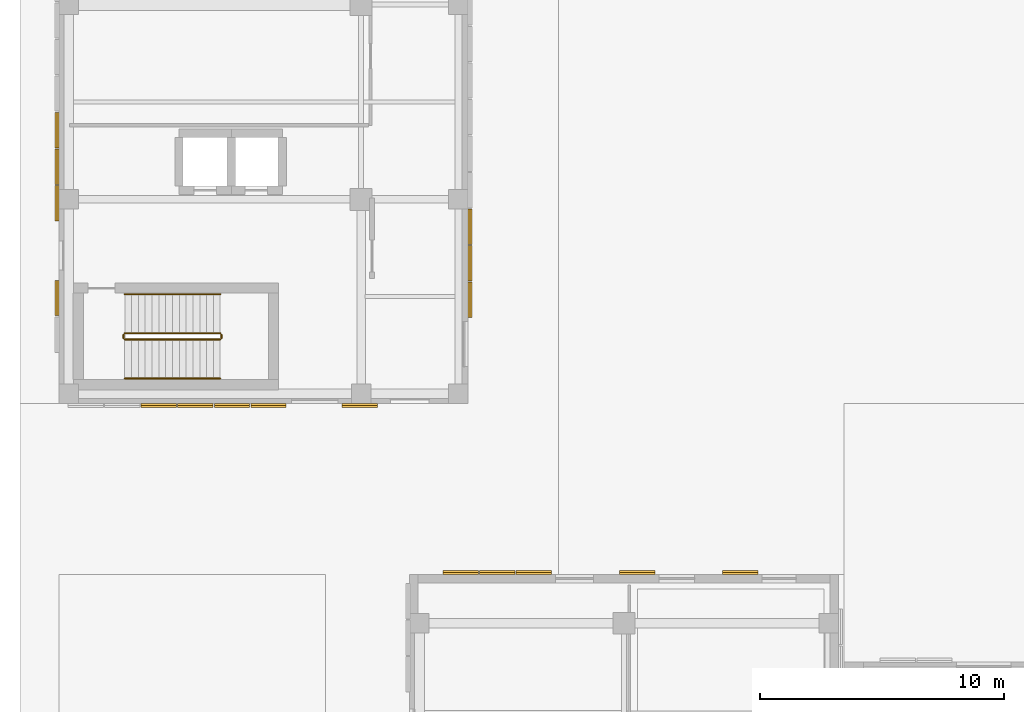
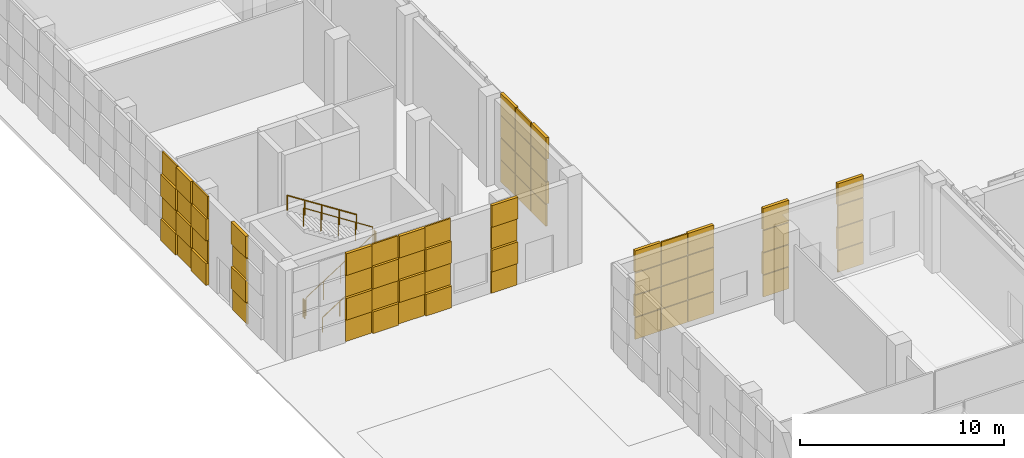
# One storey, part 24 of 40: 68 coverings, 6 railings.
"""IFC4 building model written with IfcOpenShell, lengths in metres."""

from ifc_helpers import new_model, si_unit, direction, frame, origin, origin_2d, place, context, subcontext, project, spatial, rectangle, circle, extrude, material, layer, layer_set, type_object, element, save


model = new_model("IFC4")

# Units and contexts
model_context = context("Model", 3, precision=1e-05, world=origin(), true_north=direction((0.0, 1.0)))
body_context = subcontext(model_context, "Body", "Model", "MODEL_VIEW")
ifc_project = project(units=[si_unit("LENGTHUNIT", "METRE"), si_unit("AREAUNIT", "SQUARE_METRE"), si_unit("VOLUMEUNIT", "CUBIC_METRE"), si_unit("PLANEANGLEUNIT", "RADIAN"), si_unit("MASSUNIT", "GRAM", prefix="KILO")], contexts=[model_context])

# Site, building, storey
site_placement = place(None, origin())
site = spatial("IfcSite", under=ifc_project, at=site_placement, CompositionType="ELEMENT")
building_placement = place(site_placement, origin())
building = spatial("IfcBuilding", under=site, at=building_placement, Name="Qalavern Law Courts", CompositionType="ELEMENT")
storey_placement = place(building_placement, origin())
storey = spatial("IfcBuildingStorey", under=building, at=storey_placement, Name="L00", CompositionType="ELEMENT", Elevation=0.0)

# Coverings
ifc_material_1 = material(Name="Precast concrete C40/50", Category="concrete")
ifc_layer_1 = layer(ifc_material_1, 0.06005859375)
ifc_layer_set_1 = layer_set([ifc_layer_1], Name="Precast concrete C40/50")
covering_type_1 = type_object("IfcCoveringType", Name="ENV-CLD-1", PredefinedType="CLADDING", material=ifc_layer_set_1)
for number, where, z_axis, x_axis, name in (
    (1, (29.965087890625, 34.080078125, 1.385009765625), (0.0, 0.0, 1.0), (-1.0, 0.0, 0.0), "Cast drop-relief street-base tile 0074"),
    (2, (25.739990234375, 34.080078125, 1.385009765625), (0.0, 0.0, 1.0), (-1.0, 0.0, 0.0), "Cast drop-relief street-base tile 0078"),
    (3, (21.489990234375, 34.080078125, 1.385009765625), (0.0, 0.0, 1.0), (-1.0, 0.0, 0.0), "Cast drop-relief street-base tile 0082"),
    (4, (19.989990234375, 34.080078125, 0.050048828125), (0.0, 0.0, 1.0), (-1.0, 0.0, 0.0), "Cast drop-relief street-base tile 0085"),
):
    element("IfcCovering", number, at=place(storey_placement, frame(where, z_axis=z_axis, x_axis=x_axis)), inside=storey, type_object=covering_type_1, Name=name, PredefinedType="CLADDING", context=body_context, shape_type="SweptSolid", body=[
        extrude(rectangle(XDim=1.449951171875, YDim=0.16796875, at=origin_2d()), origin(), (0.0, 0.0, 1.0), 1.294921875),
    ])
for number, where, z_axis, x_axis, name in (
    (5, (19.989990234375, 34.0380859375, 4.054931640625), (0.0, 0.0, 1.0), (-1.0, 0.0, 0.0), "Cast drop-relief street-base tile 0088"),
    (6, (18.489990234375, 34.0380859375, 2.719970703125), (0.0, 0.0, 1.0), (-1.0, 0.0, 0.0), "Cast drop-relief street-base tile 0091"),
    (7, (6.10009765625, 40.98193359375, 2.719970703125), (0.0, 0.0, 1.0), (1.0, 0.0, 0.0), "Cast drop-relief street-base tile 0491"),
    (8, (7.60009765625, 40.98193359375, 1.385009765625), (0.0, 0.0, 1.0), (1.0, 0.0, 0.0), "Cast drop-relief street-base tile 0494"),
    (9, (9.10009765625, 40.98193359375, 0.050048828125), (0.0, 0.0, 1.0), (1.0, 0.0, 0.0), "Cast drop-relief street-base tile 0497"),
):
    element("IfcCovering", number, at=place(storey_placement, frame(where, z_axis=z_axis, x_axis=x_axis)), inside=storey, type_object=covering_type_1, Name=name, PredefinedType="CLADDING", context=body_context, shape_type="SweptSolid", body=[
        extrude(rectangle(XDim=1.449951171875, YDim=0.083984375, at=origin_2d()), origin(), (0.0, 0.0, 1.0), 1.294921875),
    ])
for number, where, z_axis, x_axis, name in (
    (10, (9.10009765625, 40.93994140625, 4.054931640625), (0.0, 0.0, 1.0), (1.0, 0.0, 0.0), "Cast drop-relief street-base tile 0500"),
    (11, (10.60009765625, 40.93994140625, 2.719970703125), (0.0, 0.0, 1.0), (1.0, 0.0, 0.0), "Cast drop-relief street-base tile 0503"),
    (12, (14.35009765625, 40.93994140625, 1.385009765625), (0.0, 0.0, 1.0), (1.0, 0.0, 0.0), "Cast drop-relief street-base tile 0506"),
    (13, (18.8798828125, 45.280029296875, 1.385009765625), (0.0, 0.0, 1.0), (0.0, 1.0, 0.0), "Cast drop-relief street-base tile 0510"),
    (14, (18.8798828125, 46.780029296875, 0.050048828125), (0.0, 0.0, 1.0), (0.0, 1.0, 0.0), "Cast drop-relief street-base tile 0513"),
):
    element("IfcCovering", number, at=place(storey_placement, frame(where, z_axis=z_axis, x_axis=x_axis)), inside=storey, type_object=covering_type_1, Name=name, PredefinedType="CLADDING", context=body_context, shape_type="SweptSolid", body=[
        extrude(rectangle(XDim=1.449951171875, YDim=0.16796875, at=origin_2d()), origin(), (0.0, 0.0, 1.0), 1.294921875),
    ])
for number, where, z_axis, x_axis, name in (
    (15, (18.837890625, 46.780029296875, 4.054931640625), (0.0, 0.0, 1.0), (0.0, 1.0, 0.0), "Cast drop-relief street-base tile 0516"),
    (16, (18.837890625, 48.280029296875, 2.719970703125), (0.0, 0.0, 1.0), (0.0, 1.0, 0.0), "Cast drop-relief street-base tile 0519"),
    (17, (1.9619140625, 52.2451171875, 1.385009765625), (0.0, 0.0, 1.0), (0.0, -1.0, 0.0), "Cast drop-relief street-base tile 0754"),
    (18, (1.9619140625, 50.7451171875, 0.050048828125), (0.0, 0.0, 1.0), (0.0, -1.0, 0.0), "Cast drop-relief street-base tile 0757"),
):
    element("IfcCovering", number, at=place(storey_placement, frame(where, z_axis=z_axis, x_axis=x_axis)), inside=storey, type_object=covering_type_1, Name=name, PredefinedType="CLADDING", context=body_context, shape_type="SweptSolid", body=[
        extrude(rectangle(XDim=1.449951171875, YDim=0.083984375, at=origin_2d()), origin(), (0.0, 0.0, 1.0), 1.294921875),
    ])
for number, where, z_axis, x_axis, name in (
    (19, (1.919921875, 50.7451171875, 4.054931640625), (0.0, 0.0, 1.0), (0.0, -1.0, 0.0), "Cast drop-relief street-base tile 0760"),
    (20, (1.919921875, 49.2451171875, 2.719970703125), (0.0, 0.0, 1.0), (0.0, -1.0, 0.0), "Cast drop-relief street-base tile 0763"),
    (21, (1.919921875, 45.35009765625, 1.385009765625), (0.0, 0.0, 1.0), (0.0, -1.0, 0.0), "Cast drop-relief street-base tile 0766"),
):
    element("IfcCovering", number, at=place(storey_placement, frame(where, z_axis=z_axis, x_axis=x_axis)), inside=storey, type_object=covering_type_1, Name=name, PredefinedType="CLADDING", context=body_context, shape_type="SweptSolid", body=[
        extrude(rectangle(XDim=1.449951171875, YDim=0.16796875, at=origin_2d()), origin(), (0.0, 0.0, 1.0), 1.294921875),
    ])
ifc_layer_2 = layer(ifc_material_1, 0.072021484375)
ifc_layer_set_2 = layer_set([ifc_layer_2], Name="Precast concrete C40/50")
covering_type_2 = type_object("IfcCoveringType", Name="ENV-CLD-2", PredefinedType="CLADDING", material=ifc_layer_set_2)
for number, where, z_axis, x_axis, name in (
    (22, (29.965087890625, 34.0380859375, 2.719970703125), (0.0, 0.0, 1.0), (-1.0, 0.0, 0.0), "Cast drop-relief street-base tile 0075"),
    (23, (25.739990234375, 34.0380859375, 2.719970703125), (0.0, 0.0, 1.0), (-1.0, 0.0, 0.0), "Cast drop-relief street-base tile 0079"),
    (24, (21.489990234375, 34.0380859375, 2.719970703125), (0.0, 0.0, 1.0), (-1.0, 0.0, 0.0), "Cast drop-relief street-base tile 0083"),
    (25, (19.989990234375, 34.0380859375, 1.385009765625), (0.0, 0.0, 1.0), (-1.0, 0.0, 0.0), "Cast drop-relief street-base tile 0086"),
    (26, (18.489990234375, 34.0380859375, 0.050048828125), (0.0, 0.0, 1.0), (-1.0, 0.0, 0.0), "Cast drop-relief street-base tile 0089"),
):
    element("IfcCovering", number, at=place(storey_placement, frame(where, z_axis=z_axis, x_axis=x_axis)), inside=storey, type_object=covering_type_2, Name=name, PredefinedType="CLADDING", context=body_context, shape_type="SweptSolid", body=[
        extrude(rectangle(XDim=1.449951171875, YDim=0.083984375, at=origin_2d()), origin(), (0.0, 0.0, 1.0), 1.294921875),
    ])
covering_1_placement = place(storey_placement, frame((18.489990234375, 34.080078125, 4.054931640625), z_axis=(0.0, 0.0, 1.0), x_axis=(-1.0, 0.0, 0.0)))
element("IfcCovering", 27, at=covering_1_placement, inside=storey, type_object=covering_type_2, Name="Cast drop-relief street-base tile 0092", PredefinedType="CLADDING", context=body_context, shape_type="SweptSolid", body=[
    extrude(rectangle(XDim=1.449951171875, YDim=0.16796875, at=origin_2d()), origin(), (0.0, 0.0, 1.0), 1.294921875),
])
covering_2_placement = place(storey_placement, frame((6.10009765625, 40.98193359375, 0.050048828125), z_axis=(0.0, 0.0, 1.0), x_axis=(1.0, 0.0, 0.0)))
element("IfcCovering", 28, at=covering_2_placement, inside=storey, type_object=covering_type_2, Name="Cast drop-relief street-base tile 0489", PredefinedType="CLADDING", context=body_context, shape_type="SweptSolid", body=[
    extrude(rectangle(XDim=1.449951171875, YDim=0.083984375, at=origin_2d()), origin(), (0.0, 0.0, 1.0), 1.294921875),
])
for number, where, z_axis, x_axis, name in (
    (29, (6.10009765625, 40.93994140625, 4.054931640625), (0.0, 0.0, 1.0), (1.0, 0.0, 0.0), "Cast drop-relief street-base tile 0492"),
    (30, (7.60009765625, 40.93994140625, 2.719970703125), (0.0, 0.0, 1.0), (1.0, 0.0, 0.0), "Cast drop-relief street-base tile 0495"),
    (31, (9.10009765625, 40.93994140625, 1.385009765625), (0.0, 0.0, 1.0), (1.0, 0.0, 0.0), "Cast drop-relief street-base tile 0498"),
    (32, (10.60009765625, 40.93994140625, 0.050048828125), (0.0, 0.0, 1.0), (1.0, 0.0, 0.0), "Cast drop-relief street-base tile 0501"),
):
    element("IfcCovering", number, at=place(storey_placement, frame(where, z_axis=z_axis, x_axis=x_axis)), inside=storey, type_object=covering_type_2, Name=name, PredefinedType="CLADDING", context=body_context, shape_type="SweptSolid", body=[
        extrude(rectangle(XDim=1.449951171875, YDim=0.16796875, at=origin_2d()), origin(), (0.0, 0.0, 1.0), 1.294921875),
    ])
for number, where, z_axis, x_axis, name in (
    (33, (10.60009765625, 40.98193359375, 4.054931640625), (0.0, 0.0, 1.0), (1.0, 0.0, 0.0), "Cast drop-relief street-base tile 0504"),
    (34, (14.35009765625, 40.98193359375, 2.719970703125), (0.0, 0.0, 1.0), (1.0, 0.0, 0.0), "Cast drop-relief street-base tile 0507"),
    (35, (18.837890625, 45.280029296875, 2.719970703125), (0.0, 0.0, 1.0), (0.0, 1.0, 0.0), "Cast drop-relief street-base tile 0511"),
    (36, (18.837890625, 46.780029296875, 1.385009765625), (0.0, 0.0, 1.0), (0.0, 1.0, 0.0), "Cast drop-relief street-base tile 0514"),
    (37, (18.837890625, 48.280029296875, 0.050048828125), (0.0, 0.0, 1.0), (0.0, 1.0, 0.0), "Cast drop-relief street-base tile 0517"),
):
    element("IfcCovering", number, at=place(storey_placement, frame(where, z_axis=z_axis, x_axis=x_axis)), inside=storey, type_object=covering_type_2, Name=name, PredefinedType="CLADDING", context=body_context, shape_type="SweptSolid", body=[
        extrude(rectangle(XDim=1.449951171875, YDim=0.083984375, at=origin_2d()), origin(), (0.0, 0.0, 1.0), 1.294921875),
    ])
for number, where, z_axis, x_axis, name in (
    (38, (18.8798828125, 48.280029296875, 4.054931640625), (0.0, 0.0, 1.0), (0.0, 1.0, 0.0), "Cast drop-relief street-base tile 0520"),
    (39, (1.919921875, 52.2451171875, 2.719970703125), (0.0, 0.0, 1.0), (0.0, -1.0, 0.0), "Cast drop-relief street-base tile 0755"),
    (40, (1.919921875, 50.7451171875, 1.385009765625), (0.0, 0.0, 1.0), (0.0, -1.0, 0.0), "Cast drop-relief street-base tile 0758"),
    (41, (1.919921875, 49.2451171875, 0.050048828125), (0.0, 0.0, 1.0), (0.0, -1.0, 0.0), "Cast drop-relief street-base tile 0761"),
):
    element("IfcCovering", number, at=place(storey_placement, frame(where, z_axis=z_axis, x_axis=x_axis)), inside=storey, type_object=covering_type_2, Name=name, PredefinedType="CLADDING", context=body_context, shape_type="SweptSolid", body=[
        extrude(rectangle(XDim=1.449951171875, YDim=0.16796875, at=origin_2d()), origin(), (0.0, 0.0, 1.0), 1.294921875),
    ])
for number, where, z_axis, x_axis, name in (
    (42, (1.9619140625, 49.2451171875, 4.054931640625), (0.0, 0.0, 1.0), (0.0, -1.0, 0.0), "Cast drop-relief street-base tile 0764"),
    (43, (1.9619140625, 45.35009765625, 2.719970703125), (0.0, 0.0, 1.0), (0.0, -1.0, 0.0), "Cast drop-relief street-base tile 0767"),
):
    element("IfcCovering", number, at=place(storey_placement, frame(where, z_axis=z_axis, x_axis=x_axis)), inside=storey, type_object=covering_type_2, Name=name, PredefinedType="CLADDING", context=body_context, shape_type="SweptSolid", body=[
        extrude(rectangle(XDim=1.449951171875, YDim=0.083984375, at=origin_2d()), origin(), (0.0, 0.0, 1.0), 1.294921875),
    ])
ifc_layer_3 = layer(ifc_material_1, 0.083984375)
ifc_layer_set_3 = layer_set([ifc_layer_3], Name="Precast concrete C40/50")
covering_type_3 = type_object("IfcCoveringType", Name="ENV-CLD-3", PredefinedType="CLADDING", material=ifc_layer_set_3)
covering_3_placement = place(storey_placement, frame((29.965087890625, 34.0380859375, 0.050048828125), z_axis=(0.0, 0.0, 1.0), x_axis=(-1.0, 0.0, 0.0)))
element("IfcCovering", 44, at=covering_3_placement, inside=storey, type_object=covering_type_3, Name="Cast drop-relief street-base tile 0073", PredefinedType="CLADDING", context=body_context, shape_type="SweptSolid", body=[
    extrude(rectangle(XDim=1.449951171875, YDim=0.083984375, at=origin_2d()), origin(), (0.0, 0.0, 1.0), 1.294921875),
])
covering_4_placement = place(storey_placement, frame((29.965087890625, 34.080078125, 4.054931640625), z_axis=(0.0, 0.0, 1.0), x_axis=(-1.0, 0.0, 0.0)))
element("IfcCovering", 45, at=covering_4_placement, inside=storey, type_object=covering_type_3, Name="Cast drop-relief street-base tile 0076", PredefinedType="CLADDING", context=body_context, shape_type="SweptSolid", body=[
    extrude(rectangle(XDim=1.449951171875, YDim=0.16796875, at=origin_2d()), origin(), (0.0, 0.0, 1.0), 1.294921875),
])
covering_5_placement = place(storey_placement, frame((25.739990234375, 34.0380859375, 0.050048828125), z_axis=(0.0, 0.0, 1.0), x_axis=(-1.0, 0.0, 0.0)))
element("IfcCovering", 46, at=covering_5_placement, inside=storey, type_object=covering_type_3, Name="Cast drop-relief street-base tile 0077", PredefinedType="CLADDING", context=body_context, shape_type="SweptSolid", body=[
    extrude(rectangle(XDim=1.449951171875, YDim=0.083984375, at=origin_2d()), origin(), (0.0, 0.0, 1.0), 1.294921875),
])
covering_6_placement = place(storey_placement, frame((25.739990234375, 34.080078125, 4.054931640625), z_axis=(0.0, 0.0, 1.0), x_axis=(-1.0, 0.0, 0.0)))
element("IfcCovering", 47, at=covering_6_placement, inside=storey, type_object=covering_type_3, Name="Cast drop-relief street-base tile 0080", PredefinedType="CLADDING", context=body_context, shape_type="SweptSolid", body=[
    extrude(rectangle(XDim=1.449951171875, YDim=0.16796875, at=origin_2d()), origin(), (0.0, 0.0, 1.0), 1.294921875),
])
covering_7_placement = place(storey_placement, frame((21.489990234375, 34.0380859375, 0.050048828125), z_axis=(0.0, 0.0, 1.0), x_axis=(-1.0, 0.0, 0.0)))
element("IfcCovering", 48, at=covering_7_placement, inside=storey, type_object=covering_type_3, Name="Cast drop-relief street-base tile 0081", PredefinedType="CLADDING", context=body_context, shape_type="SweptSolid", body=[
    extrude(rectangle(XDim=1.449951171875, YDim=0.083984375, at=origin_2d()), origin(), (0.0, 0.0, 1.0), 1.294921875),
])
for number, where, z_axis, x_axis, name in (
    (49, (21.489990234375, 34.080078125, 4.054931640625), (0.0, 0.0, 1.0), (-1.0, 0.0, 0.0), "Cast drop-relief street-base tile 0084"),
    (50, (19.989990234375, 34.080078125, 2.719970703125), (0.0, 0.0, 1.0), (-1.0, 0.0, 0.0), "Cast drop-relief street-base tile 0087"),
    (51, (18.489990234375, 34.080078125, 1.385009765625), (0.0, 0.0, 1.0), (-1.0, 0.0, 0.0), "Cast drop-relief street-base tile 0090"),
    (52, (6.10009765625, 40.93994140625, 1.385009765625), (0.0, 0.0, 1.0), (1.0, 0.0, 0.0), "Cast drop-relief street-base tile 0490"),
    (53, (7.60009765625, 40.93994140625, 0.050048828125), (0.0, 0.0, 1.0), (1.0, 0.0, 0.0), "Cast drop-relief street-base tile 0493"),
):
    element("IfcCovering", number, at=place(storey_placement, frame(where, z_axis=z_axis, x_axis=x_axis)), inside=storey, type_object=covering_type_3, Name=name, PredefinedType="CLADDING", context=body_context, shape_type="SweptSolid", body=[
        extrude(rectangle(XDim=1.449951171875, YDim=0.16796875, at=origin_2d()), origin(), (0.0, 0.0, 1.0), 1.294921875),
    ])
for number, where, z_axis, x_axis, name in (
    (54, (7.60009765625, 40.98193359375, 4.054931640625), (0.0, 0.0, 1.0), (1.0, 0.0, 0.0), "Cast drop-relief street-base tile 0496"),
    (55, (9.10009765625, 40.98193359375, 2.719970703125), (0.0, 0.0, 1.0), (1.0, 0.0, 0.0), "Cast drop-relief street-base tile 0499"),
    (56, (10.60009765625, 40.98193359375, 1.385009765625), (0.0, 0.0, 1.0), (1.0, 0.0, 0.0), "Cast drop-relief street-base tile 0502"),
    (57, (14.35009765625, 40.98193359375, 0.050048828125), (0.0, 0.0, 1.0), (1.0, 0.0, 0.0), "Cast drop-relief street-base tile 0505"),
):
    element("IfcCovering", number, at=place(storey_placement, frame(where, z_axis=z_axis, x_axis=x_axis)), inside=storey, type_object=covering_type_3, Name=name, PredefinedType="CLADDING", context=body_context, shape_type="SweptSolid", body=[
        extrude(rectangle(XDim=1.449951171875, YDim=0.083984375, at=origin_2d()), origin(), (0.0, 0.0, 1.0), 1.294921875),
    ])
covering_8_placement = place(storey_placement, frame((14.35009765625, 40.93994140625, 4.054931640625), z_axis=(0.0, 0.0, 1.0), x_axis=(1.0, 0.0, 0.0)))
element("IfcCovering", 58, at=covering_8_placement, inside=storey, type_object=covering_type_3, Name="Cast drop-relief street-base tile 0508", PredefinedType="CLADDING", context=body_context, shape_type="SweptSolid", body=[
    extrude(rectangle(XDim=1.449951171875, YDim=0.16796875, at=origin_2d()), origin(), (0.0, 0.0, 1.0), 1.294921875),
])
covering_9_placement = place(storey_placement, frame((18.837890625, 45.280029296875, 0.050048828125), z_axis=(0.0, 0.0, 1.0), x_axis=(0.0, 1.0, 0.0)))
element("IfcCovering", 59, at=covering_9_placement, inside=storey, type_object=covering_type_3, Name="Cast drop-relief street-base tile 0509", PredefinedType="CLADDING", context=body_context, shape_type="SweptSolid", body=[
    extrude(rectangle(XDim=1.449951171875, YDim=0.083984375, at=origin_2d()), origin(), (0.0, 0.0, 1.0), 1.294921875),
])
for number, where, z_axis, x_axis, name in (
    (60, (18.8798828125, 45.280029296875, 4.054931640625), (0.0, 0.0, 1.0), (0.0, 1.0, 0.0), "Cast drop-relief street-base tile 0512"),
    (61, (18.8798828125, 46.780029296875, 2.719970703125), (0.0, 0.0, 1.0), (0.0, 1.0, 0.0), "Cast drop-relief street-base tile 0515"),
    (62, (18.8798828125, 48.280029296875, 1.385009765625), (0.0, 0.0, 1.0), (0.0, 1.0, 0.0), "Cast drop-relief street-base tile 0518"),
    (63, (1.919921875, 52.2451171875, 0.050048828125), (0.0, 0.0, 1.0), (0.0, -1.0, 0.0), "Cast drop-relief street-base tile 0753"),
):
    element("IfcCovering", number, at=place(storey_placement, frame(where, z_axis=z_axis, x_axis=x_axis)), inside=storey, type_object=covering_type_3, Name=name, PredefinedType="CLADDING", context=body_context, shape_type="SweptSolid", body=[
        extrude(rectangle(XDim=1.449951171875, YDim=0.16796875, at=origin_2d()), origin(), (0.0, 0.0, 1.0), 1.294921875),
    ])
for number, where, z_axis, x_axis, name in (
    (64, (1.9619140625, 52.2451171875, 4.054931640625), (0.0, 0.0, 1.0), (0.0, -1.0, 0.0), "Cast drop-relief street-base tile 0756"),
    (65, (1.9619140625, 50.7451171875, 2.719970703125), (0.0, 0.0, 1.0), (0.0, -1.0, 0.0), "Cast drop-relief street-base tile 0759"),
    (66, (1.9619140625, 49.2451171875, 1.385009765625), (0.0, 0.0, 1.0), (0.0, -1.0, 0.0), "Cast drop-relief street-base tile 0762"),
    (67, (1.9619140625, 45.35009765625, 0.050048828125), (0.0, 0.0, 1.0), (0.0, -1.0, 0.0), "Cast drop-relief street-base tile 0765"),
):
    element("IfcCovering", number, at=place(storey_placement, frame(where, z_axis=z_axis, x_axis=x_axis)), inside=storey, type_object=covering_type_3, Name=name, PredefinedType="CLADDING", context=body_context, shape_type="SweptSolid", body=[
        extrude(rectangle(XDim=1.449951171875, YDim=0.083984375, at=origin_2d()), origin(), (0.0, 0.0, 1.0), 1.294921875),
    ])
covering_10_placement = place(storey_placement, frame((1.919921875, 45.35009765625, 4.054931640625), z_axis=(0.0, 0.0, 1.0), x_axis=(0.0, -1.0, 0.0)))
element("IfcCovering", 68, at=covering_10_placement, inside=storey, type_object=covering_type_3, Name="Cast drop-relief street-base tile 0768", PredefinedType="CLADDING", context=body_context, shape_type="SweptSolid", body=[
    extrude(rectangle(XDim=1.449951171875, YDim=0.16796875, at=origin_2d()), origin(), (0.0, 0.0, 1.0), 1.294921875),
])

# Railings
ifc_material_2 = material(Name="Steel S355", Category="steel")
railing_type_1 = type_object("IfcRailingType", Name="INT-GUARD-1120", PredefinedType="BALUSTRADE", material=ifc_material_2)
railing_1_placement = place(storey_placement, frame((4.699951171875, 43.64990234375, 0.179931640625)))
element("IfcRailing", 69, at=railing_1_placement, inside=storey, type_object=railing_type_1, Name="L00 ST-K2 stair guard 1", PredefinedType="BALUSTRADE", context=body_context, shape_type="SweptSolid", body=[
    extrude(circle(Radius=0.02392578125, at=origin_2d()), frame((0.0, 0.0, 1.09619140625), z_axis=(0.841186985886, 0.0, 0.540744352514), x_axis=(0.0, 1.0, 0.0)), (0.0, 0.0, 1.0), 4.660400390625),
    extrude(circle(Radius=0.02099609375, at=origin_2d()), origin(), (0.0, 0.0, 1.0), 1.072021484375),
    extrude(circle(Radius=0.02099609375, at=origin_2d()), frame((0.97998046875, 0.0, 0.6298828125)), (0.0, 0.0, 1.0), 1.072021484375),
    extrude(circle(Radius=0.02099609375, at=origin_2d()), frame((1.9599609375, 0.0, 1.260009765625)), (0.0, 0.0, 1.0), 1.072021484375),
    extrude(circle(Radius=0.02099609375, at=origin_2d()), frame((2.940185546875, 0.0, 1.89013671875)), (0.0, 0.0, 1.0), 1.072021484375),
    extrude(circle(Radius=0.02099609375, at=origin_2d()), frame((3.920166015625, 0.0, 2.52001953125)), (0.0, 0.0, 1.0), 1.072021484375),
])
railing_2_placement = place(storey_placement, frame((8.669921875, 43.699951171875, 2.699951171875)))
element("IfcRailing", 70, at=railing_2_placement, inside=storey, type_object=railing_type_1, Name="L00 ST-K2 stair guard 2", PredefinedType="BALUSTRADE", context=body_context, shape_type="SweptSolid", body=[
    extrude(circle(Radius=0.02392578125, at=origin_2d()), frame((0.0, 0.0, 1.09619140625), z_axis=(0.0, 1.0, 0.0), x_axis=(-1.0, 0.0, 0.0)), (0.0, 0.0, 1.0), 0.150146484375),
    extrude(circle(Radius=0.02099609375, at=origin_2d()), origin(), (0.0, 0.0, 1.0), 1.072021484375),
    extrude(circle(Radius=0.02099609375, at=origin_2d()), frame((0.0, 0.150146484375, 0.0)), (0.0, 0.0, 1.0), 1.072021484375),
])
railing_3_placement = place(storey_placement, frame((8.6201171875, 43.89990234375, 2.8798828125)))
element("IfcRailing", 71, at=railing_3_placement, inside=storey, type_object=railing_type_1, Name="L00 ST-K2 stair guard 3", PredefinedType="BALUSTRADE", context=body_context, shape_type="SweptSolid", body=[
    extrude(circle(Radius=0.02392578125, at=origin_2d()), frame((0.0, 0.0, 1.09619140625), z_axis=(-0.841186985886, 0.0, 0.540744352514), x_axis=(0.0, -1.0, 0.0)), (0.0, 0.0, 1.0), 4.660400390625),
    extrude(circle(Radius=0.02099609375, at=origin_2d()), origin(), (0.0, 0.0, 1.0), 1.072021484375),
    extrude(circle(Radius=0.02099609375, at=origin_2d()), frame((-0.97998046875, 0.0, 0.6298828125)), (0.0, 0.0, 1.0), 1.072021484375),
    extrude(circle(Radius=0.02099609375, at=origin_2d()), frame((-1.9599609375, 0.0, 1.260009765625)), (0.0, 0.0, 1.0), 1.072021484375),
    extrude(circle(Radius=0.02099609375, at=origin_2d()), frame((-2.940185546875, 0.0, 1.89013671875)), (0.0, 0.0, 1.0), 1.072021484375),
    extrude(circle(Radius=0.02099609375, at=origin_2d()), frame((-3.920166015625, 0.0, 2.52001953125)), (0.0, 0.0, 1.0), 1.072021484375),
])
railing_4_placement = place(storey_placement, frame((4.64990234375, 43.699951171875, 0.0)))
element("IfcRailing", 72, at=railing_4_placement, inside=storey, type_object=railing_type_1, Name="L00 ST-K2 stair guard 4", PredefinedType="BALUSTRADE", context=body_context, shape_type="SweptSolid", body=[
    extrude(circle(Radius=0.02392578125, at=origin_2d()), frame((0.0, 0.0, 1.09619140625), z_axis=(0.0, 1.0, 0.0), x_axis=(-1.0, 0.0, 0.0)), (0.0, 0.0, 1.0), 0.150146484375),
    extrude(circle(Radius=0.02099609375, at=origin_2d()), origin(), (0.0, 0.0, 1.0), 1.072021484375),
    extrude(circle(Radius=0.02099609375, at=origin_2d()), frame((0.0, 0.150146484375, 0.0)), (0.0, 0.0, 1.0), 1.072021484375),
])
railing_type_2 = type_object("IfcRailingType", Name="INT-HRAIL-920", PredefinedType="HANDRAIL", material=ifc_material_2)
railing_5_placement = place(storey_placement, frame((4.699951171875, 42.050048828125, 0.179931640625)))
element("IfcRailing", 73, at=railing_5_placement, inside=storey, type_object=railing_type_2, Name="L00 ST-K2 stair handrail 1", PredefinedType="HANDRAIL", context=body_context, shape_type="SweptSolid", body=[
    extrude(circle(Radius=0.02392578125, at=origin_2d()), frame((0.0, 0.0, 0.8759765625), z_axis=(0.841186985886, 0.0, 0.540744352514), x_axis=(0.0, 1.0, 0.0)), (0.0, 0.0, 1.0), 4.660400390625),
    extrude(circle(Radius=0.02099609375, at=origin_2d()), origin(), (0.0, 0.0, 1.0), 0.851806640625),
    extrude(circle(Radius=0.02099609375, at=origin_2d()), frame((0.97998046875, 0.0, 0.6298828125)), (0.0, 0.0, 1.0), 0.851806640625),
    extrude(circle(Radius=0.02099609375, at=origin_2d()), frame((1.9599609375, 0.0, 1.260009765625)), (0.0, 0.0, 1.0), 0.851806640625),
    extrude(circle(Radius=0.02099609375, at=origin_2d()), frame((2.940185546875, 0.0, 1.89013671875)), (0.0, 0.0, 1.0), 0.851806640625),
    extrude(circle(Radius=0.02099609375, at=origin_2d()), frame((3.920166015625, 0.0, 2.52001953125)), (0.0, 0.0, 1.0), 0.851806640625),
])
railing_6_placement = place(storey_placement, frame((8.6201171875, 45.5, 2.8798828125)))
element("IfcRailing", 74, at=railing_6_placement, inside=storey, type_object=railing_type_2, Name="L00 ST-K2 stair handrail 2", PredefinedType="HANDRAIL", context=body_context, shape_type="SweptSolid", body=[
    extrude(circle(Radius=0.02392578125, at=origin_2d()), frame((0.0, 0.0, 0.8759765625), z_axis=(-0.841186985886, 0.0, 0.540744352514), x_axis=(0.0, -1.0, 0.0)), (0.0, 0.0, 1.0), 4.660400390625),
    extrude(circle(Radius=0.02099609375, at=origin_2d()), origin(), (0.0, 0.0, 1.0), 0.851806640625),
    extrude(circle(Radius=0.02099609375, at=origin_2d()), frame((-0.97998046875, 0.0, 0.6298828125)), (0.0, 0.0, 1.0), 0.851806640625),
    extrude(circle(Radius=0.02099609375, at=origin_2d()), frame((-1.9599609375, 0.0, 1.260009765625)), (0.0, 0.0, 1.0), 0.851806640625),
    extrude(circle(Radius=0.02099609375, at=origin_2d()), frame((-2.940185546875, 0.0, 1.89013671875)), (0.0, 0.0, 1.0), 0.851806640625),
    extrude(circle(Radius=0.02099609375, at=origin_2d()), frame((-3.920166015625, 0.0, 2.52001953125)), (0.0, 0.0, 1.0), 0.851806640625),
])

save(model, "model.ifc")
